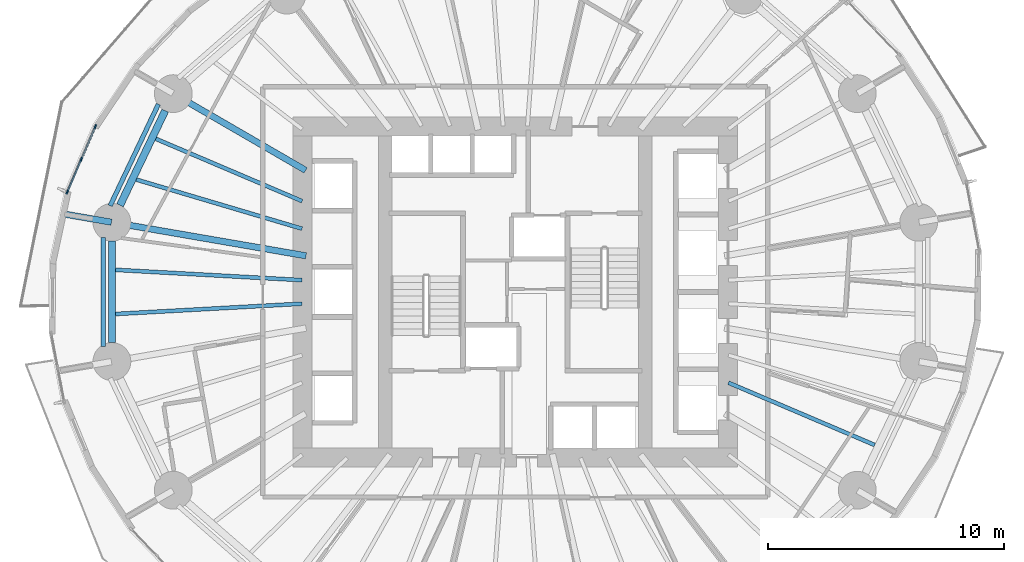
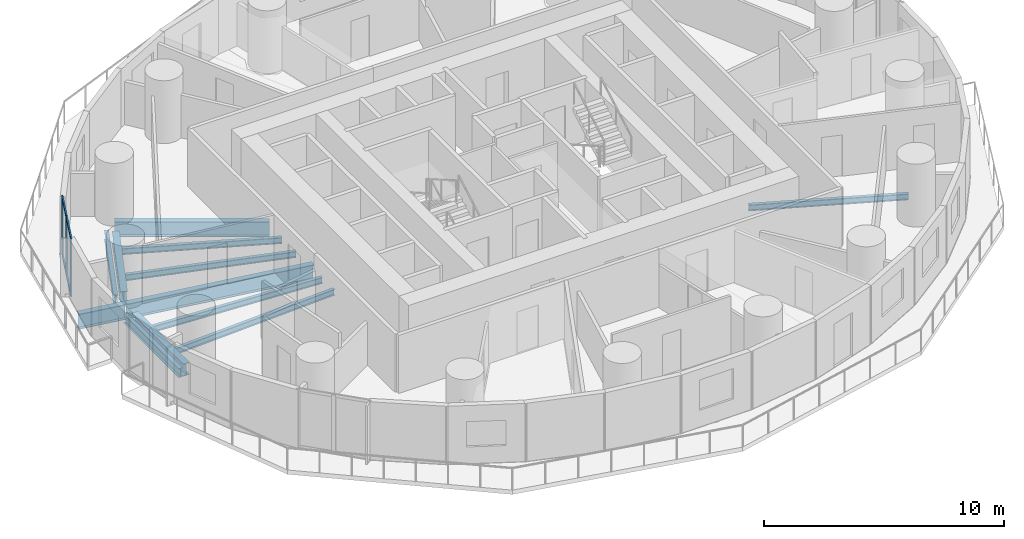
# One storey, part 3 of 14: 12 beams, 7 members, 1 element without a shape of its own.
"""IFC4 building model written with IfcOpenShell, lengths in metres."""

from ifc_helpers import new_model, si_unit, direction, frame, origin, origin_2d, place, context, subcontext, project, spatial, rectangle, i_section, extrude, material, material_profile, profile_set, type_object, element, aggregate, save


model = new_model("IFC4")

# Units and contexts
model_context = context("Model", 3, precision=1e-05, world=origin(), true_north=direction((0.0, 1.0)))
body_context = subcontext(model_context, "Body", "Model", "MODEL_VIEW")
ifc_project = project(units=[si_unit("LENGTHUNIT", "METRE"), si_unit("AREAUNIT", "SQUARE_METRE"), si_unit("VOLUMEUNIT", "CUBIC_METRE"), si_unit("PLANEANGLEUNIT", "RADIAN"), si_unit("MASSUNIT", "GRAM", prefix="KILO")], contexts=[model_context])

# Site, building, storey
site_placement = place(None, origin())
site = spatial("IfcSite", under=ifc_project, at=site_placement, CompositionType="ELEMENT")
building_placement = place(site_placement, origin())
building = spatial("IfcBuilding", under=site, at=building_placement, Name="Veldorim Arch Residences", CompositionType="ELEMENT")
storey_placement = place(building_placement, frame((0.0, 0.0, 28.0)))
storey = spatial("IfcBuildingStorey", under=building, at=storey_placement, Name="L07", CompositionType="ELEMENT", Elevation=28.0)

# Beams
ifc_material_1 = material(Name="Steel S355", Category="steel")
ifc_material_profile_1 = material_profile(ifc_material_1, i_section(OverallWidth=0.30712890625, OverallDepth=0.6201171875, WebThickness=0.01416015625, FlangeThickness=0.023681640625, at=origin_2d()), Name="UB610x305x179")
ifc_profile_set_1 = profile_set([ifc_material_profile_1], Name="Steel S355")
beam_type_1 = type_object("IfcBeamType", Name="Structural Steel Beam UB610x305x179", PredefinedType="BEAM", material=ifc_profile_set_1)
beam_1_placement = place(storey_placement, frame((17.187744140625, 31.6669921875, -0.550048828125), z_axis=(-0.430786696724, -0.902453778276, 0.0), x_axis=(0.902453778276, -0.430786696724, 0.0)))
element("IfcBeam", 1, at=beam_1_placement, inside=storey, type_object=beam_type_1, Name="L07 perimeter ring tie beam 07", PredefinedType="BEAM", context=body_context, shape_type="SweptSolid", body=[
    extrude(i_section(OverallWidth=0.30712890625, OverallDepth=0.6201171875, WebThickness=0.01416015625, FlangeThickness=0.023681640625, at=origin_2d()), origin(), (0.0, 0.0, 1.0), 4.431396484375),
])
beam_2_placement = place(storey_placement, frame((14.934326171875, 26.14599609375, -0.550048828125), z_axis=(0.0, -1.0, 0.0), x_axis=(1.0, 0.0, 0.0)))
element("IfcBeam", 2, at=beam_2_placement, inside=storey, type_object=beam_type_1, Name="L07 perimeter ring tie beam 08", PredefinedType="BEAM", context=body_context, shape_type="SweptSolid", body=[
    extrude(i_section(OverallWidth=0.30712890625, OverallDepth=0.6201171875, WebThickness=0.01416015625, FlangeThickness=0.023681640625, at=origin_2d()), origin(), (0.0, 0.0, 1.0), 4.2919921875),
])
ifc_material_2 = material(Name="Steel S355", Category="steel")
ifc_material_profile_2 = material_profile(ifc_material_2, i_section(OverallWidth=0.26806640625, OverallDepth=0.769775390625, WebThickness=0.015625, FlangeThickness=0.025390625, at=origin_2d()), Name="UB762x267x197")
ifc_profile_set_2 = profile_set([ifc_material_profile_2], Name="Steel S355")
beam_type_2 = type_object("IfcBeamType", Name="Structural Steel GIRDER UB762x267x197", PredefinedType="USERDEFINED", material=ifc_profile_set_2)
beam_3_placement = place(storey_placement, frame((23.1298828125, 29.1435546875, -0.625), z_axis=(-0.865088348752, 0.501619525989, 0.0), x_axis=(-0.501619525989, -0.865088348752, 0.0)))
element("IfcBeam", 3, at=beam_3_placement, inside=storey, type_object=beam_type_2, Name="L07 radial floor girder 07", ObjectType="GIRDER", PredefinedType="USERDEFINED", context=body_context, shape_type="SweptSolid", body=[
    extrude(i_section(OverallWidth=0.26806640625, OverallDepth=0.769775390625, WebThickness=0.015625, FlangeThickness=0.025390625, at=origin_2d()), origin(), (0.0, 0.0, 1.0), 6.4501953125),
])
beam_4_placement = place(storey_placement, frame((23.147705078125, 25.528076171875, -0.625), z_axis=(-0.985427548249, 0.170095699979, 0.0), x_axis=(-0.170095699979, -0.985427548249, 0.0)))
element("IfcBeam", 4, at=beam_4_placement, inside=storey, type_object=beam_type_2, Name="L07 radial floor girder 08", ObjectType="GIRDER", PredefinedType="USERDEFINED", context=body_context, shape_type="SweptSolid", body=[
    extrude(i_section(OverallWidth=0.26806640625, OverallDepth=0.769775390625, WebThickness=0.015625, FlangeThickness=0.025390625, at=origin_2d()), origin(), (0.0, 0.0, 1.0), 8.314697265625),
])
beam_5_placement = place(storey_placement, frame((14.91455078125, 26.94921875, -0.625), z_axis=(-0.985424365947, 0.170114135211, 0.0), x_axis=(-0.170114135211, -0.985424365947, 0.0)))
element("IfcBeam", 5, at=beam_5_placement, inside=storey, type_object=beam_type_2, Name="L07 radial edge cantilever girder 08", ObjectType="GIRDER", PredefinedType="USERDEFINED", context=body_context, shape_type="SweptSolid", body=[
    extrude(i_section(OverallWidth=0.26806640625, OverallDepth=0.769775390625, WebThickness=0.015625, FlangeThickness=0.025390625, at=origin_2d()), origin(), (0.0, 0.0, 1.0), 2.091064453125),
])
ifc_material_3 = material(Name="Steel S355", Category="steel")
ifc_material_profile_3 = material_profile(ifc_material_3, i_section(OverallWidth=0.165771484375, OverallDepth=0.306640625, WebThickness=0.006591796875, FlangeThickness=0.01171875, at=origin_2d()), Name="UB305x165x46")
ifc_profile_set_3 = profile_set([ifc_material_profile_3], Name="Steel S355")
beam_type_3 = type_object("IfcBeamType", Name="Structural Steel Joist UB305x165x46", PredefinedType="JOIST", material=ifc_profile_set_3)
beam_6_placement = place(storey_placement, frame((22.981689453125, 27.84130859375, -0.393310546875), z_axis=(-0.920032948668, 0.391841005213, 0.0), x_axis=(-0.391841005213, -0.920032948668, 0.0)))
element("IfcBeam", 6, at=beam_6_placement, inside=storey, type_object=beam_type_3, Name="L07 secondary radial floor joist 07-1", PredefinedType="JOIST", context=body_context, shape_type="SweptSolid", body=[
    extrude(i_section(OverallWidth=0.165771484375, OverallDepth=0.306640625, WebThickness=0.006591796875, FlangeThickness=0.01171875, at=origin_2d()), origin(), (0.0, 0.0, 1.0), 6.723388671875),
])
beam_7_placement = place(storey_placement, frame((22.980712890625, 26.67333984375, -0.393310546875), z_axis=(-0.958766778771, 0.284194060325, 0.0), x_axis=(-0.284194060325, -0.958766778771, 0.0)))
element("IfcBeam", 7, at=beam_7_placement, inside=storey, type_object=beam_type_3, Name="L07 secondary radial floor joist 07-2", PredefinedType="JOIST", context=body_context, shape_type="SweptSolid", body=[
    extrude(i_section(OverallWidth=0.165771484375, OverallDepth=0.306640625, WebThickness=0.006591796875, FlangeThickness=0.01171875, at=origin_2d()), origin(), (0.0, 0.0, 1.0), 7.3115234375),
])
for number, where, z_axis, x_axis, name in (
    (8, (22.97998046875, 24.498291015625, -0.393310546875), (-0.998478371109, 0.055144740699, 0.0), (-0.055144740699, -0.998478371109, 0.0), "L07 secondary radial floor joist 08-1"),
    (9, (22.97998046875, 23.501708984375, -0.393310546875), (-0.998478371109, -0.055144740699, 0.0), (0.055144740699, -0.998478371109, 0.0), "L07 secondary radial floor joist 08-2"),
):
    element("IfcBeam", number, at=place(storey_placement, frame(where, z_axis=z_axis, x_axis=x_axis)), inside=storey, type_object=beam_type_3, Name=name, PredefinedType="JOIST", context=body_context, shape_type="SweptSolid", body=[
        extrude(i_section(OverallWidth=0.165771484375, OverallDepth=0.306640625, WebThickness=0.006591796875, FlangeThickness=0.01171875, at=origin_2d()), origin(), (0.0, 0.0, 1.0), 7.898193359375),
    ])
beam_8_placement = place(storey_placement, frame((41.018310546875, 20.15869140625, -0.393310546875), z_axis=(0.920032948668, -0.391841005213, 0.0), x_axis=(0.391841005213, 0.920032948668, 0.0)))
element("IfcBeam", 10, at=beam_8_placement, inside=storey, type_object=beam_type_3, Name="L07 secondary radial floor joist 15-1", PredefinedType="JOIST", context=body_context, shape_type="SweptSolid", body=[
    extrude(i_section(OverallWidth=0.165771484375, OverallDepth=0.306640625, WebThickness=0.006591796875, FlangeThickness=0.01171875, at=origin_2d()), origin(), (0.0, 0.0, 1.0), 6.723388671875),
])
ifc_material_4 = material(Name="Steel S355", Category="steel")
ifc_material_profile_4 = material_profile(ifc_material_4, i_section(OverallWidth=0.19140625, OverallDepth=0.4599609375, WebThickness=0.010009765625, FlangeThickness=0.01611328125, at=origin_2d()), Name="UB457x191x82")
ifc_profile_set_4 = profile_set([ifc_material_profile_4], Name="Steel S355")
beam_type_4 = type_object("IfcBeamType", Name="Structural Steel Spandrel UB457x191x82", PredefinedType="SPANDREL", material=ifc_profile_set_4)
beam_9_placement = place(storey_placement, frame((16.90185546875, 31.943603515625, -0.489990234375), z_axis=(-0.42886940858, -0.903366498374, 0.0), x_axis=(0.903366498374, -0.42886940858, 0.0)))
element("IfcBeam", 11, at=beam_9_placement, inside=storey, type_object=beam_type_4, Name="L07 perimeter chord spandrel beam 07", PredefinedType="SPANDREL", context=body_context, shape_type="SweptSolid", body=[
    extrude(i_section(OverallWidth=0.19140625, OverallDepth=0.4599609375, WebThickness=0.010009765625, FlangeThickness=0.01611328125, at=origin_2d()), origin(), (0.0, 0.0, 1.0), 4.7568359375),
])
beam_10_placement = place(storey_placement, frame((14.559814453125, 26.306396484375, -0.489990234375), z_axis=(0.0, -1.0, 0.0), x_axis=(1.0, 0.0, 0.0)))
element("IfcBeam", 12, at=beam_10_placement, inside=storey, type_object=beam_type_4, Name="L07 perimeter chord spandrel beam 08", PredefinedType="SPANDREL", context=body_context, shape_type="SweptSolid", body=[
    extrude(i_section(OverallWidth=0.19140625, OverallDepth=0.4599609375, WebThickness=0.010009765625, FlangeThickness=0.01611328125, at=origin_2d()), origin(), (0.0, 0.0, 1.0), 4.61279296875),
])

# Curtain wall, members
ifc_material_5 = material(Name="Aluminium", Category="aluminium")
curtain_wall_type = type_object("IfcCurtainWallType", Name="Zone 1 Acoustic Low-E Unitised Curtain Wall", PredefinedType="NOTDEFINED", material=ifc_material_5)
curtain_wall_placement = place(storey_placement, origin())
curtain_wall = element("IfcCurtainWall", 13, at=curtain_wall_placement, inside=storey, type_object=curtain_wall_type, Name="L07 unitised curtain wall bay 16", PredefinedType="NOTDEFINED")
ifc_material_6 = material(Name="Aluminium", Category="aluminium")
ifc_material_profile_5 = material_profile(ifc_material_6, rectangle(XDim=0.06494140625, YDim=0.175048828125, at=origin_2d()), Name="ALU_MUL_65x175")
ifc_profile_set_5 = profile_set([ifc_material_profile_5], Name="Aluminium")
member_type_1 = type_object("IfcMemberType", Name="Zone 1 Acoustic Low-E Unitised Curtain Wall Mullion 65x175", PredefinedType="MULLION", material=ifc_profile_set_5)
member_1_placement = place(storey_placement, frame((13.044677734375, 28.219970703125, 0.0), z_axis=(0.0, 0.0, 1.0), x_axis=(-0.919222162015, 0.393739275232, 0.0)))
member_1 = element("IfcMember", 14, at=member_1_placement, type_object=member_type_1, Name="CW-Z1 mullion 1", PredefinedType="MULLION", context=body_context, shape_type="SweptSolid", body=[
    extrude(rectangle(XDim=0.06494140625, YDim=0.175048828125, at=origin_2d()), origin(), (0.0, 0.0, 1.0), 2.9599609375),
])
member_2_placement = place(storey_placement, frame((13.63916015625, 29.607421875, 0.0), z_axis=(0.0, 0.0, 1.0), x_axis=(-0.919222162015, 0.393739275232, 0.0)))
member_2 = element("IfcMember", 15, at=member_2_placement, type_object=member_type_1, Name="CW-Z1 mullion 2", PredefinedType="MULLION", context=body_context, shape_type="SweptSolid", body=[
    extrude(rectangle(XDim=0.06494140625, YDim=0.175048828125, at=origin_2d()), origin(), (0.0, 0.0, 1.0), 2.9599609375),
])
member_3_placement = place(storey_placement, frame((14.2333984375, 30.9951171875, 0.0), z_axis=(0.0, 0.0, 1.0), x_axis=(-0.919222162015, 0.393739275232, 0.0)))
member_3 = element("IfcMember", 16, at=member_3_placement, type_object=member_type_1, Name="CW-Z1 mullion 3", PredefinedType="MULLION", context=body_context, shape_type="SweptSolid", body=[
    extrude(rectangle(XDim=0.06494140625, YDim=0.175048828125, at=origin_2d()), origin(), (0.0, 0.0, 1.0), 2.9599609375),
])
ifc_material_7 = material(Name="Aluminium", Category="aluminium")
ifc_material_profile_6 = material_profile(ifc_material_7, rectangle(XDim=0.06494140625, YDim=0.14990234375, at=origin_2d()), Name="ALU_TRN_65x150")
ifc_profile_set_6 = profile_set([ifc_material_profile_6], Name="Aluminium")
member_type_2 = type_object("IfcMemberType", Name="Zone 1 Acoustic Low-E Unitised Curtain Wall Transom 65x150", PredefinedType="USERDEFINED", material=ifc_profile_set_6)
member_4_placement = place(storey_placement, frame((13.057373046875, 28.249755859375, 0.032470703125), z_axis=(0.393776515602, 0.919206209596, 0.0), x_axis=(-0.919206209596, 0.393776515602, 0.0)))
member_4 = element("IfcMember", 17, at=member_4_placement, type_object=member_type_2, Name="CW-Z1 transom 1.1", ObjectType="TRANSOM", PredefinedType="USERDEFINED", context=body_context, shape_type="SweptSolid", body=[
    extrude(rectangle(XDim=0.06494140625, YDim=0.14990234375, at=origin_2d()), origin(), (0.0, 0.0, 1.0), 1.444580078125),
])
member_5_placement = place(storey_placement, frame((13.057373046875, 28.249755859375, 2.927490234375), z_axis=(0.393776515602, 0.919206209596, 0.0), x_axis=(-0.919206209596, 0.393776515602, 0.0)))
member_5 = element("IfcMember", 18, at=member_5_placement, type_object=member_type_2, Name="CW-Z1 transom 1.2", ObjectType="TRANSOM", PredefinedType="USERDEFINED", context=body_context, shape_type="SweptSolid", body=[
    extrude(rectangle(XDim=0.06494140625, YDim=0.14990234375, at=origin_2d()), origin(), (0.0, 0.0, 1.0), 1.444580078125),
])
member_6_placement = place(storey_placement, frame((13.65185546875, 29.63720703125, 0.032470703125), z_axis=(0.393776515602, 0.919206209596, 0.0), x_axis=(-0.919206209596, 0.393776515602, 0.0)))
member_6 = element("IfcMember", 19, at=member_6_placement, type_object=member_type_2, Name="CW-Z1 transom 2.1", ObjectType="TRANSOM", PredefinedType="USERDEFINED", context=body_context, shape_type="SweptSolid", body=[
    extrude(rectangle(XDim=0.06494140625, YDim=0.14990234375, at=origin_2d()), origin(), (0.0, 0.0, 1.0), 1.444580078125),
])
member_7_placement = place(storey_placement, frame((13.65185546875, 29.63720703125, 2.927490234375), z_axis=(0.393776515602, 0.919206209596, 0.0), x_axis=(-0.919206209596, 0.393776515602, 0.0)))
member_7 = element("IfcMember", 20, at=member_7_placement, type_object=member_type_2, Name="CW-Z1 transom 2.2", ObjectType="TRANSOM", PredefinedType="USERDEFINED", context=body_context, shape_type="SweptSolid", body=[
    extrude(rectangle(XDim=0.06494140625, YDim=0.14990234375, at=origin_2d()), origin(), (0.0, 0.0, 1.0), 1.444580078125),
])
aggregate(curtain_wall, [member_1, member_2, member_3, member_4, member_5, member_6, member_7])

save(model, "model.ifc")
